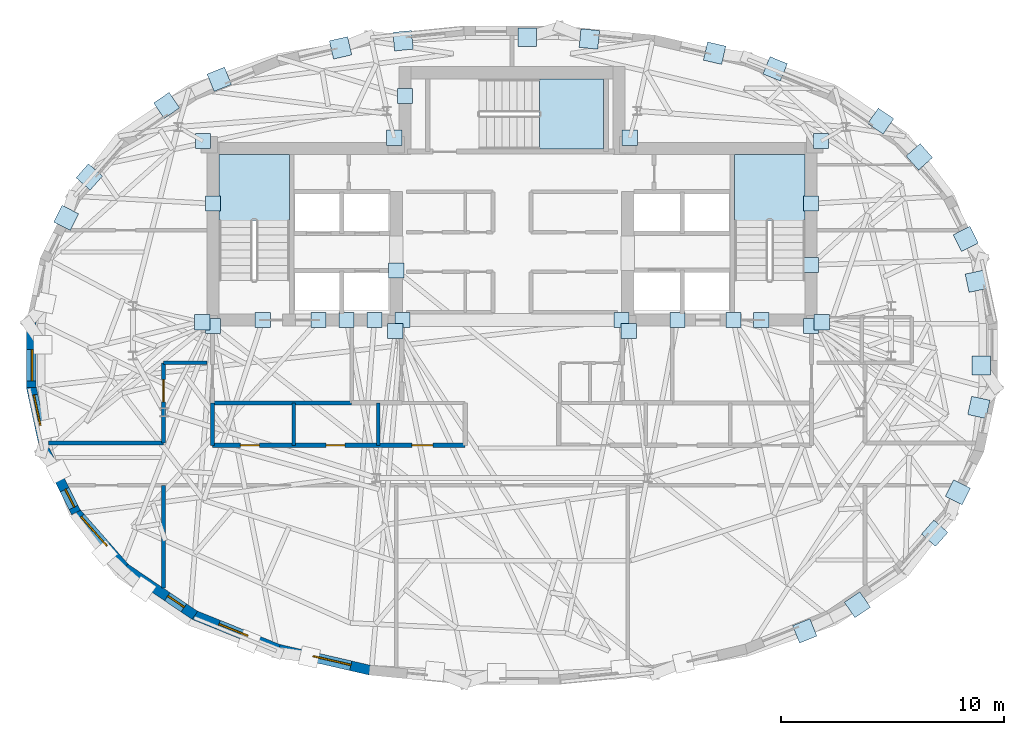
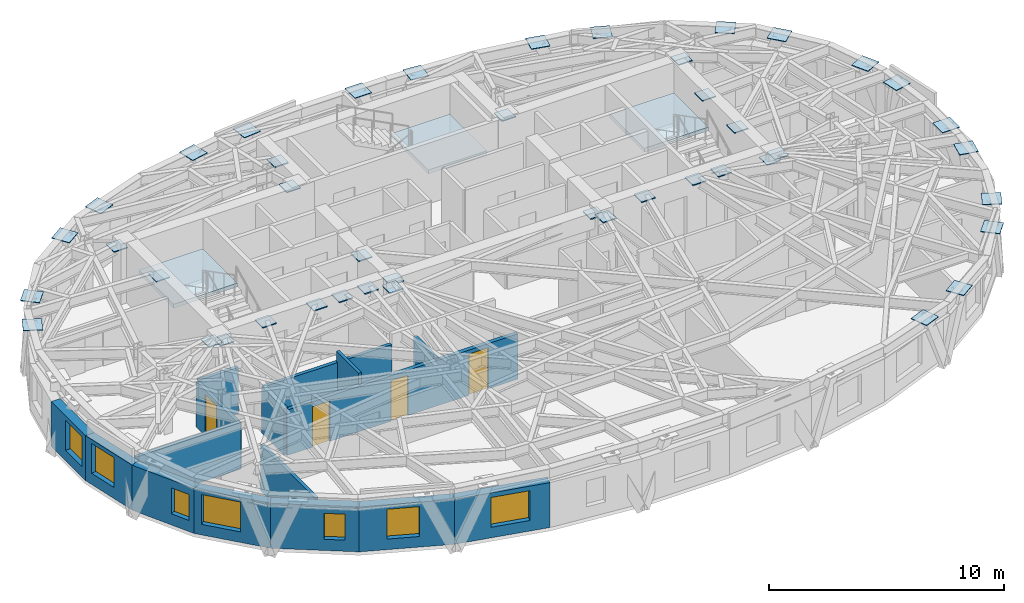
# One storey, part 5 of 13: 44 plates, 16 walls, 7 windows, 4 doors, 3 slabs, 11 openings, 3 elements without a shape of their own.
"""IFC4 building model written with IfcOpenShell, lengths in metres."""

from ifc_helpers import new_model, si_unit, direction, frame, frame_2d, origin, origin_2d, place, context, subcontext, project, spatial, polyline, rectangle, outline, extrude, material, layer, layer_set, type_object, element, fill, aggregate, save


model = new_model("IFC4")

# Units and contexts
model_context = context("Model", 3, precision=1e-05, world=origin(), true_north=direction((0.0, 1.0)))
body_context = subcontext(model_context, "Body", "Model", "MODEL_VIEW")
ifc_project = project(units=[si_unit("LENGTHUNIT", "METRE"), si_unit("AREAUNIT", "SQUARE_METRE"), si_unit("VOLUMEUNIT", "CUBIC_METRE"), si_unit("PLANEANGLEUNIT", "RADIAN"), si_unit("MASSUNIT", "GRAM", prefix="KILO")], contexts=[model_context])

# Site, building, storey
site_placement = place(None, origin())
site = spatial("IfcSite", under=ifc_project, at=site_placement, CompositionType="ELEMENT")
building_placement = place(site_placement, origin())
building = spatial("IfcBuilding", under=site, at=building_placement, Name="Keldmark Tower", CompositionType="ELEMENT")
storey_placement = place(building_placement, frame((0.0, 0.0, 244.64990234375)))
storey = spatial("IfcBuildingStorey", under=building, at=storey_placement, Name="L69", CompositionType="ELEMENT", Elevation=244.64990234375)

# Plates
ifc_material_1 = material(Name="Steel ASTM A572 Grade 50", Category="steel")
ifc_layer_1 = layer(ifc_material_1, 0.06005859375)
ifc_layer_set_1 = layer_set([ifc_layer_1], Name="Steel ASTM A572 Grade 50")
plate_type_1 = type_object("IfcPlateType", Name="Belt Truss Kink Node Assembly KN01 60 mm", PredefinedType="USERDEFINED", material=ifc_layer_set_1)
for number, where, z_axis, x_axis, name in (
    (1, (13.91162109375, 1.473388671875, 2.67822265625), (0.0, 0.0, 1.0), (1.0, 0.0, 0.0), "L69 Core Wall Cast-In Embed Plate 2008"),
    (2, (13.878173828125, 9.608154296875, 2.67822265625), (0.0, 0.0, 1.0), (1.0, 0.0, 0.0), "L69 Core Wall Cast-In Embed Plate 2009"),
    (3, (5.28515625, 9.758544921875, 2.67822265625), (0.0, 0.0, 1.0), (1.0, 0.0, 0.0), "L69 Core Wall Cast-In Embed Plate 2010"),
    (4, (-5.28515625, 9.758544921875, 2.67822265625), (0.0, 0.0, 1.0), (1.0, 0.0, 0.0), "L69 Core Wall Cast-In Embed Plate 2011"),
    (5, (-13.878173828125, 9.608154296875, 2.67822265625), (0.0, 0.0, 1.0), (1.0, 0.0, 0.0), "L69 Core Wall Cast-In Embed Plate 2012"),
    (6, (-13.91162109375, 1.473388671875, 2.67822265625), (0.0, 0.0, 1.0), (1.0, 0.0, 0.0), "L69 Core Wall Cast-In Embed Plate 2013"),
    (7, (-5.24072265625, 1.08251953125, 2.67822265625), (0.0, 0.0, 1.0), (1.0, 0.0, 0.0), "L69 Core Wall Cast-In Embed Plate 2014"),
    (8, (5.24072265625, 1.08251953125, 2.67822265625), (0.0, 0.0, 1.0), (1.0, 0.0, 0.0), "L69 Core Wall Cast-In Embed Plate 2015"),
    (9, (-11.19287109375, 1.574951171875, 2.67431640625), (0.0, 0.0, 1.0), (1.0, 0.0, 0.0), "L69 Core Wall Cast-In Embed Plate 2016"),
    (10, (-7.43212890625, 1.574951171875, 2.67431640625), (0.0, 0.0, 1.0), (1.0, 0.0, 0.0), "L69 Core Wall Cast-In Embed Plate 2017"),
    (11, (7.43212890625, 1.574951171875, 2.67431640625), (0.0, 0.0, 1.0), (1.0, 0.0, 0.0), "L69 Core Wall Cast-In Embed Plate 2018"),
    (12, (11.19287109375, 1.574951171875, 2.67431640625), (0.0, 0.0, 1.0), (1.0, 0.0, 0.0), "L69 Core Wall Cast-In Embed Plate 2019"),
    (13, (13.425048828125, 4.050048828125, 2.67431640625), (0.0, 0.0, 1.0), (1.0, 0.0, 0.0), "L69 Core Wall Cast-In Embed Plate 2020"),
    (14, (-8.685791015625, 1.574951171875, 2.67431640625), (0.0, 0.0, 1.0), (1.0, 0.0, 0.0), "L69 Core Wall Cast-In Embed Plate 2021"),
    (15, (-6.1787109375, 1.574951171875, 2.67431640625), (0.0, 0.0, 1.0), (1.0, 0.0, 0.0), "L69 Core Wall Cast-In Embed Plate 2022"),
    (16, (9.939208984375, 1.574951171875, 2.67431640625), (0.0, 0.0, 1.0), (1.0, 0.0, 0.0), "L69 Core Wall Cast-In Embed Plate 2023"),
    (17, (13.425048828125, 6.800048828125, 2.67431640625), (0.0, 0.0, 1.0), (1.0, 0.0, 0.0), "L69 Core Wall Cast-In Embed Plate 2024"),
    (18, (4.925048828125, 1.574951171875, 2.67431640625), (0.0, 0.0, 1.0), (1.0, 0.0, 0.0), "L69 Core Wall Cast-In Embed Plate 2025"),
    (19, (-13.425048828125, 1.300048828125, 2.67431640625), (0.0, 0.0, 1.0), (1.0, 0.0, 0.0), "L69 Core Wall Cast-In Embed Plate 2026"),
    (20, (-4.925048828125, 1.574951171875, 2.67431640625), (0.0, 0.0, 1.0), (1.0, 0.0, 0.0), "L69 Core Wall Cast-In Embed Plate 2027"),
    (21, (-5.199951171875, 3.800048828125, 2.67431640625), (0.0, 0.0, 1.0), (1.0, 0.0, 0.0), "L69 Core Wall Cast-In Embed Plate 2028"),
    (22, (13.425048828125, 1.300048828125, 2.67431640625), (0.0, 0.0, 1.0), (1.0, 0.0, 0.0), "L69 Core Wall Cast-In Embed Plate 2029"),
    (23, (-4.800048828125, 11.63330078125, 2.67431640625), (0.0, 0.0, 1.0), (1.0, 0.0, 0.0), "L69 Core Wall Cast-In Embed Plate 2030"),
    (24, (-13.425048828125, 6.800048828125, 2.67431640625), (0.0, 0.0, 1.0), (1.0, 0.0, 0.0), "L69 Core Wall Cast-In Embed Plate 2031"),
):
    element("IfcPlate", number, at=place(storey_placement, frame(where, z_axis=z_axis, x_axis=x_axis)), inside=storey, type_object=plate_type_1, Name=name, ObjectType="CAP PLATE", PredefinedType="USERDEFINED", context=body_context, shape_type="SweptSolid", body=[
        extrude(rectangle(XDim=0.679931640625, YDim=0.679931640625, at=origin_2d()), origin(), (0.0, 0.0, 1.0), 0.054931640625),
    ])
ifc_material_2 = material(Name="Steel ASTM A572 Grade 50", Category="steel")
ifc_layer_2 = layer(ifc_material_2, 0.034912109375)
ifc_layer_set_2 = layer_set([ifc_layer_2], Name="Steel ASTM A572 Grade 50")
plate_type_2 = type_object("IfcPlateType", Name="Diagrid Node Assembly DN06 35 mm", PredefinedType="USERDEFINED", material=ifc_layer_set_2)
for number, where, z_axis, x_axis, name in (
    (25, (20.84619140625, 3.3154296875, 2.83251953125), (0.0, 0.0, 1.0), (-0.210471759821, 0.977599937765, 0.0), "L69 Diagrid Node Assembly 01"),
    (26, (20.374755859375, 5.215087890625, 2.83251953125), (0.0, 0.0, 1.0), (-0.448539214018, 0.893763152903, 0.0), "L69 Diagrid Node Assembly 02"),
    (27, (18.290283203125, 8.90380859375, 2.83251953125), (0.0, 0.0, 1.0), (-0.661311865324, 0.75011106963, 0.0), "L69 Diagrid Node Assembly 03"),
    (28, (16.55615234375, 10.50341796875, 2.83251953125), (0.0, 0.0, 1.0), (-0.827668733006, 0.561216953062, 0.0), "L69 Diagrid Node Assembly 04"),
    (29, (11.817138671875, 12.855712890625, 2.83251953125), (0.0, 0.0, 1.0), (-0.92672549442, 0.375739082333, 0.0), "L69 Diagrid Node Assembly 05"),
    (30, (9.098876953125, 13.557373046875, 2.83251953125), (0.0, 0.0, 1.0), (-0.97440931131, 0.224780991261, 0.0), "L69 Diagrid Node Assembly 06"),
    (31, (3.47265625, 14.195068359375, 2.83251953125), (0.0, 0.0, 1.0), (-0.995124665732, 0.098625045759, 0.0), "L69 Diagrid Node Assembly 07"),
    (32, (0.68798828125, 14.270263671875, 2.83251953125), (0.0, 0.0, 1.0), (-1.0, 0.0, 0.0), "L69 Diagrid Node Assembly 08"),
    (33, (-4.892578125, 14.115234375, 2.83251953125), (0.0, 0.0, 1.0), (-0.995124665732, -0.098625045759, 0.0), "L69 Diagrid Node Assembly 09"),
    (34, (-7.69970703125, 13.79638671875, 2.83251953125), (0.0, 0.0, 1.0), (-0.97440931131, -0.224780991261, 0.0), "L69 Diagrid Node Assembly 10"),
    (35, (-13.14501953125, 12.384521484375, 2.83251953125), (0.0, 0.0, 1.0), (-0.92672549442, -0.375739082333, 0.0), "L69 Diagrid Node Assembly 11"),
    (36, (-15.509033203125, 11.210693359375, 2.83251953125), (0.0, 0.0, 1.0), (-0.827668733006, -0.561216953062, 0.0), "L69 Diagrid Node Assembly 12"),
    (37, (-18.98193359375, 8.000244140625, 2.83251953125), (0.0, 0.0, 1.0), (-0.661311865324, -0.75011106963, 0.0), "L69 Diagrid Node Assembly 13"),
    (38, (-20.02001953125, 6.16015625, 2.83251953125), (0.0, 0.0, 1.0), (-0.448539214018, -0.893763152903, 0.0), "L69 Diagrid Node Assembly 14"),
    (39, (13.14501953125, -12.384521484375, 2.83251953125), (0.0, 0.0, 1.0), (0.92672549442, 0.375739082333, 0.0), "L69 Diagrid Node Assembly 27"),
    (40, (15.509033203125, -11.210693359375, 2.83251953125), (0.0, 0.0, 1.0), (0.827668733006, 0.561216953062, 0.0), "L69 Diagrid Node Assembly 28"),
    (41, (18.98193359375, -8.000244140625, 2.83251953125), (0.0, 0.0, 1.0), (0.661311865324, 0.75011106963, 0.0), "L69 Diagrid Node Assembly 29"),
    (42, (20.02001953125, -6.16015625, 2.83251953125), (0.0, 0.0, 1.0), (0.448539214018, 0.893763152903, 0.0), "L69 Diagrid Node Assembly 30"),
    (43, (20.962646484375, -2.34912109375, 2.83251953125), (0.0, 0.0, 1.0), (0.210471759821, 0.977599937765, 0.0), "L69 Diagrid Node Assembly 31"),
    (44, (21.07470703125, -0.464599609375, 2.83251953125), (0.0, 0.0, 1.0), (0.0, 1.0, 0.0), "L69 Diagrid Node Assembly 32"),
):
    element("IfcPlate", number, at=place(storey_placement, frame(where, z_axis=z_axis, x_axis=x_axis)), inside=storey, type_object=plate_type_2, Name=name, ObjectType="GUSSET", PredefinedType="USERDEFINED", context=body_context, shape_type="SweptSolid", body=[
        extrude(rectangle(XDim=0.840087890625, YDim=0.840087890625, at=origin_2d()), origin(), (0.0, 0.0, 1.0), 0.034912109375),
    ])

# Stair, slab
ifc_material_3 = material(Name="Concrete C40/50", Category="concrete")
stair_type = type_object("IfcStairType", Name="Precast Concrete Core Exit Stair", PredefinedType="HALF_TURN_STAIR", material=ifc_material_3)
stair_1_placement = place(storey_placement, origin())
stair_1 = element("IfcStair", 45, at=stair_1_placement, inside=storey, type_object=stair_type, Name="L69 Exit Stair ST1", PredefinedType="HALF_TURN_STAIR")
ifc_material_4 = material(Name="Concrete C40/50", Category="concrete")
ifc_layer_3 = layer(ifc_material_4, 0.199951171875)
ifc_layer_set_3 = layer_set([ifc_layer_3], Name="Concrete C40/50")
slab_type = type_object("IfcSlabType", Name="Reinforced Concrete Stair Landing 200 mm", PredefinedType="LANDING", material=ifc_layer_set_3)
slab_1_placement = place(storey_placement, frame((0.0, 0.0, 1.375)))
slab_1 = element("IfcSlab", 46, at=slab_1_placement, type_object=slab_type, Name="ST1 landing 1", PredefinedType="LANDING", context=body_context, shape_type="SweptSolid", body=[
    extrude(outline(polyline([(-10.0, 6.050048828125), (-10.0, 9.0), (-13.14990234375, 9.0), (-13.14990234375, 6.050048828125), (-10.0, 6.050048828125)])), origin(), (0.0, 0.0, 1.0), 0.2001953125),
])
aggregate(stair_1, [slab_1])

stair_2_placement = place(storey_placement, origin())
stair_2 = element("IfcStair", 47, at=stair_2_placement, inside=storey, type_object=stair_type, Name="L69 Exit Stair ST2", PredefinedType="HALF_TURN_STAIR")
slab_2_placement = place(storey_placement, frame((0.0, 0.0, 1.375)))
slab_2 = element("IfcSlab", 48, at=slab_2_placement, type_object=slab_type, Name="ST2 landing 1", PredefinedType="LANDING", context=body_context, shape_type="SweptSolid", body=[
    extrude(outline(polyline([(13.14990234375, 6.050048828125), (13.14990234375, 9.0), (10.0, 9.0), (10.0, 6.050048828125), (13.14990234375, 6.050048828125)])), origin(), (0.0, 0.0, 1.0), 0.2001953125),
])
aggregate(stair_2, [slab_2])

stair_3_placement = place(storey_placement, origin())
stair_3 = element("IfcStair", 49, at=stair_3_placement, inside=storey, type_object=stair_type, Name="L69 Exit Stair ST3", PredefinedType="HALF_TURN_STAIR")
slab_3_placement = place(storey_placement, frame((0.0, 0.0, 1.375)))
slab_3 = element("IfcSlab", 50, at=slab_3_placement, type_object=slab_type, Name="ST3 landing 1", PredefinedType="LANDING", context=body_context, shape_type="SweptSolid", body=[
    extrude(outline(polyline([(1.22509765625, 9.25), (4.10498046875, 9.25), (4.10498046875, 12.39990234375), (1.22509765625, 12.39990234375), (1.22509765625, 9.25)])), origin(), (0.0, 0.0, 1.0), 0.2001953125),
])
aggregate(stair_3, [slab_3])

# Wall, openings, doors
ifc_material_5 = material(Name="Heavy Acoustic Plumbing Chase Gypsum Assembly", Category="gypsum")
ifc_layer_4 = layer(ifc_material_5, 0.18994140625)
ifc_layer_set_4 = layer_set([ifc_layer_4], Name="Heavy Acoustic Plumbing Chase Gypsum Assembly")
wall_type_1 = type_object("IfcWallType", Name="Heavy Wet Wall 190 mm", PredefinedType="PLUMBINGWALL", material=ifc_layer_set_4)
wall_1_placement = place(storey_placement, frame((-13.449951171875, -4.050048828125, 0.0), z_axis=(0.0, 0.0, 1.0), x_axis=(1.0, 0.0, 0.0)))
wall_1 = element("IfcWall", 51, at=wall_1_placement, inside=storey, type_object=wall_type_1, Name="L69 Heavy Wet Wall 190 mm SPK-W-S", PredefinedType="PLUMBINGWALL", context=body_context, shape_type="SweptSolid", body=[
    extrude(rectangle(XDim=11.349853515625, YDim=0.18994140625, at=frame_2d((5.6748046875, 0.0))), origin(), (0.0, 0.0, 1.0), 2.357177734375),
])
opening_1_placement = place(wall_1_placement, frame((1.25, 0.0, 0.0)))
opening_1 = element("IfcOpeningElement", 52, at=opening_1_placement, cuts=wall_1, Name="Opening D-WC085", PredefinedType="OPENING", context=body_context, shape_type="SweptSolid", body=[
    extrude(rectangle(XDim=0.85009765625, YDim=2.10009765625, at=frame_2d((0.425048828125, 1.050048828125))), frame((0.0, 0.10498046875, 0.0), z_axis=(0.0, -1.0, 0.0), x_axis=(1.0, 0.0, 0.0)), (0.0, 0.0, 1.0), 0.2099609375),
])
opening_2_placement = place(wall_1_placement, frame((5.10009765625, 0.0, 0.0)))
opening_2 = element("IfcOpeningElement", 53, at=opening_2_placement, cuts=wall_1, Name="Opening D-WC085", PredefinedType="OPENING", context=body_context, shape_type="SweptSolid", body=[
    extrude(rectangle(XDim=0.85009765625, YDim=2.10009765625, at=frame_2d((0.425048828125, 1.050048828125))), frame((0.0, 0.10498046875, 0.0), z_axis=(0.0, -1.0, 0.0), x_axis=(1.0, 0.0, 0.0)), (0.0, 0.0, 1.0), 0.2099609375),
])
opening_3_placement = place(wall_1_placement, frame((8.949951171875, 0.0, 0.0)))
opening_3 = element("IfcOpeningElement", 54, at=opening_3_placement, cuts=wall_1, Name="Opening D-AWC95", PredefinedType="OPENING", context=body_context, shape_type="SweptSolid", body=[
    extrude(rectangle(XDim=0.949951171875, YDim=2.14990234375, at=frame_2d((0.47509765625, 1.074951171875))), frame((0.0, 0.10498046875, 0.0), z_axis=(0.0, -1.0, 0.0), x_axis=(1.0, 0.0, 0.0)), (0.0, 0.0, 1.0), 0.2099609375),
])
ifc_material_6 = material(Name="Painted Solid-Core Architectural Wood", Category="wood")
door_type_1 = type_object("IfcDoorType", Name="Accessible WC Door 950x2150", OperationType="NOTDEFINED", PredefinedType="DOOR", material=ifc_material_6)
door_1_placement = place(opening_3_placement, origin())
door_1 = element("IfcDoor", 55, at=door_1_placement, inside=storey, type_object=door_type_1, Name="L69 Accessible WC Door 950x2150 D-SPKW3-L69", OperationType="SINGLE_SWING_LEFT", OverallHeight=2.14990234375, OverallWidth=0.949951171875, PredefinedType="DOOR", context=body_context, shape_type="SweptSolid", body=[
    extrude(rectangle(XDim=0.949951171875, YDim=2.14990234375, at=frame_2d((0.47509765625, 1.074951171875))), frame((0.0, 0.02490234375, 0.0), z_axis=(0.0, -1.0, 0.0), x_axis=(1.0, 0.0, 0.0)), (0.0, 0.0, 1.0), 0.050048828125),
])
fill(opening_3, door_1)
ifc_material_7 = material(Name="Moisture-Sealed Painted Wood", Category="wood")
door_type_2 = type_object("IfcDoorType", Name="WC Door 850x2100", OperationType="NOTDEFINED", PredefinedType="DOOR", material=ifc_material_7)
door_2_placement = place(opening_1_placement, origin())
door_2 = element("IfcDoor", 56, at=door_2_placement, inside=storey, type_object=door_type_2, Name="L69 WC Door 850x2100 D-SPKW1-L69", OperationType="SINGLE_SWING_LEFT", OverallHeight=2.10009765625, OverallWidth=0.85009765625, PredefinedType="DOOR", context=body_context, shape_type="SweptSolid", body=[
    extrude(rectangle(XDim=0.85009765625, YDim=2.10009765625, at=frame_2d((0.425048828125, 1.050048828125))), frame((0.0, 0.02490234375, 0.0), z_axis=(0.0, -1.0, 0.0), x_axis=(1.0, 0.0, 0.0)), (0.0, 0.0, 1.0), 0.050048828125),
])
fill(opening_1, door_2)
door_3_placement = place(opening_2_placement, origin())
door_3 = element("IfcDoor", 57, at=door_3_placement, inside=storey, type_object=door_type_2, Name="L69 WC Door 850x2100 D-SPKW2-L69", OperationType="SINGLE_SWING_RIGHT", OverallHeight=2.10009765625, OverallWidth=0.85009765625, PredefinedType="DOOR", context=body_context, shape_type="SweptSolid", body=[
    extrude(rectangle(XDim=0.85009765625, YDim=2.10009765625, at=frame_2d((0.425048828125, 1.050048828125))), frame((0.0, 0.02490234375, 0.0), z_axis=(0.0, -1.0, 0.0), x_axis=(1.0, 0.0, 0.0)), (0.0, 0.0, 1.0), 0.050048828125),
])
fill(opening_2, door_3)

# Walls
wall_2_placement = place(storey_placement, frame((-13.449951171875, -4.050048828125, 0.0), z_axis=(0.0, 0.0, 1.0), x_axis=(0.0, 1.0, 0.0)))
element("IfcWall", 58, at=wall_2_placement, inside=storey, type_object=wall_type_1, Name="L69 Heavy Wet Wall 190 mm SPK-W-W", PredefinedType="PLUMBINGWALL", context=body_context, shape_type="SweptSolid", body=[
    extrude(rectangle(XDim=1.900146484375, YDim=0.18994140625, at=frame_2d((0.9501953125, 0.0))), origin(), (0.0, 0.0, 1.0), 2.423095703125),
])
ifc_material_8 = material(Name="Type X Fire-Rated Gypsum Partition Assembly", Category="gypsum")
ifc_layer_5 = layer(ifc_material_8, 0.1650390625)
ifc_layer_set_5 = layer_set([ifc_layer_5], Name="Type X Fire-Rated Gypsum Partition Assembly")
wall_type_2 = type_object("IfcWallType", Name="Rated Partition 165 mm", PredefinedType="PARTITIONING", material=ifc_layer_set_5)
wall_3_placement = place(storey_placement, frame((-13.449951171875, -2.14990234375, 0.0), z_axis=(0.0, 0.0, 1.0), x_axis=(1.0, 0.0, 0.0)))
element("IfcWall", 59, at=wall_3_placement, inside=storey, type_object=wall_type_2, Name="L69 Rated Partition 165 mm FSAE-W-S", PredefinedType="PARTITIONING", context=body_context, shape_type="SweptSolid", body=[
    extrude(rectangle(XDim=6.25, YDim=0.1650390625, at=frame_2d((3.125, 0.0))), origin(), (0.0, 0.0, 1.0), 2.423095703125),
])
wall_4_placement = place(storey_placement, frame((-20.81396484375, -3.949951171875, 0.0), z_axis=(0.0, 0.0, 1.0), x_axis=(1.0, 0.0, 0.0)))
element("IfcWall", 60, at=wall_4_placement, inside=storey, type_object=wall_type_2, Name="L69 Rated Partition 165 mm RCOR-WN-OUT", PredefinedType="PARTITIONING", context=body_context, shape_type="SweptSolid", body=[
    extrude(rectangle(XDim=5.1640625, YDim=0.1650390625, at=frame_2d((2.58203125, 0.0))), origin(), (0.0, 0.0, 1.0), 2.423095703125),
])

# Wall, opening, door
wall_5_placement = place(storey_placement, frame((-15.64990234375, -3.949951171875, 0.0), z_axis=(0.0, 0.0, 1.0), x_axis=(0.0, 1.0, 0.0)))
wall_5 = element("IfcWall", 61, at=wall_5_placement, inside=storey, type_object=wall_type_2, Name="L69 Rated Partition 165 mm RCOR-VW", PredefinedType="PARTITIONING", context=body_context, shape_type="SweptSolid", body=[
    extrude(rectangle(XDim=3.599853515625, YDim=0.1650390625, at=frame_2d((1.7998046875, 0.0))), origin(), (0.0, 0.0, 1.0), 2.357177734375),
])
opening_4_placement = place(wall_5_placement, frame((1.85009765625, 0.0, 0.0)))
opening_4 = element("IfcOpeningElement", 62, at=opening_4_placement, cuts=wall_5, Name="Opening D-FD100", PredefinedType="OPENING", context=body_context, shape_type="SweptSolid", body=[
    extrude(rectangle(XDim=1.0, YDim=2.14990234375, at=frame_2d((0.5, 1.074951171875))), frame((0.0, 0.092529296875, 0.0), z_axis=(0.0, -1.0, 0.0), x_axis=(1.0, 0.0, 0.0)), (0.0, 0.0, 1.0), 0.18505859375),
])
ifc_material_9 = material(Name="Hollow Metal Fire-Rated Corridor Door", Category="metal")
door_type_3 = type_object("IfcDoorType", Name="Fire Door 1000x2150", OperationType="NOTDEFINED", PredefinedType="DOOR", material=ifc_material_9)
door_4_placement = place(opening_4_placement, origin())
door_4 = element("IfcDoor", 63, at=door_4_placement, inside=storey, type_object=door_type_3, Name="L69 Fire Door 1000x2150 D-RWM1-L69", OperationType="SINGLE_SWING_RIGHT", OverallHeight=2.14990234375, OverallWidth=1.0, PredefinedType="DOOR", context=body_context, shape_type="SweptSolid", body=[
    extrude(rectangle(XDim=1.0, YDim=2.14990234375, at=frame_2d((0.5, 1.074951171875))), frame((0.0, 0.02490234375, 0.0), z_axis=(0.0, -1.0, 0.0), x_axis=(1.0, 0.0, 0.0)), (0.0, 0.0, 1.0), 0.050048828125),
])
fill(opening_4, door_4)

# Walls
wall_6_placement = place(storey_placement, frame((-15.64990234375, -0.35009765625, 0.0), z_axis=(0.0, 0.0, 1.0), x_axis=(1.0, 0.0, 0.0)))
element("IfcWall", 64, at=wall_6_placement, inside=storey, type_object=wall_type_2, Name="L69 Rated Partition 165 mm RCOR-VWN", PredefinedType="PARTITIONING", context=body_context, shape_type="SweptSolid", body=[
    extrude(rectangle(XDim=1.949951171875, YDim=0.1650390625, at=frame_2d((0.97509765625, 0.0))), origin(), (0.0, 0.0, 1.0), 2.423095703125),
])
wall_7_placement = place(storey_placement, frame((-15.64990234375, -10.4580078125, 0.0), z_axis=(0.0, 0.0, 1.0), x_axis=(0.0, 1.0, 0.0)))
element("IfcWall", 65, at=wall_7_placement, inside=storey, type_object=wall_type_2, Name="L69 Rated Partition 165 mm RS-WCAP", PredefinedType="PARTITIONING", context=body_context, shape_type="SweptSolid", body=[
    extrude(rectangle(XDim=4.60791015625, YDim=0.1650390625, at=frame_2d((2.303955078125, 0.0))), origin(), (0.0, 0.0, 1.0), 2.423095703125),
])

# Wall, opening, window
ifc_material_10 = material(Name="Ironspot Manganese Brick and Kasota Buff Limestone Spandrel Assembly", Category="masonry")
ifc_layer_6 = layer(ifc_material_10, 0.43994140625)
ifc_layer_set_6 = layer_set([ifc_layer_6], Name="Ironspot Manganese Brick and Kasota Buff Limestone Spandrel Assembly")
wall_type_3 = type_object("IfcWallType", Name="Tower Brick Pier and Spandrel Wall 440 mm", PredefinedType="STANDARD", material=ifc_layer_set_6)
wall_8_placement = place(storey_placement, frame((-21.58935546875, -1.45654296875, 0.0), z_axis=(0.0, 0.0, 1.0), x_axis=(0.0, 1.0, 0.0)))
wall_8 = element("IfcWall", 66, at=wall_8_placement, inside=storey, type_object=wall_type_3, Name="L69 Exterior Brick and Spandrel Wall 16", PredefinedType="STANDARD", context=body_context, shape_type="SweptSolid", body=[
    extrude(rectangle(XDim=2.9130859375, YDim=0.43994140625, at=frame_2d((1.45654296875, 0.0))), origin(), (0.0, 0.0, 1.0), 2.340087890625),
])
opening_5_placement = place(wall_8_placement, frame((0.296875, 0.0, 0.550048828125)))
opening_5 = element("IfcOpeningElement", 67, at=opening_5_placement, cuts=wall_8, Name="Opening W-08", PredefinedType="OPENING", context=body_context, shape_type="SweptSolid", body=[
    extrude(rectangle(XDim=1.39990234375, YDim=1.550048828125, at=frame_2d((0.699951171875, 0.77490234375))), frame((0.0, 0.22998046875, 0.0), z_axis=(0.0, -1.0, 0.0), x_axis=(1.0, 0.0, 0.0)), (0.0, 0.0, 1.0), 0.4599609375),
])
ifc_material_11 = material(Name="Thermally Broken Anodized Aluminum and Triple Low-E Argon Glazing", Category="aluminium")
window_type_1 = type_object("IfcWindowType", Name="Residential Corner Punched Window 1400x1550", PartitioningType="SINGLE_PANEL", PredefinedType="WINDOW", material=ifc_material_11)
window_1_placement = place(opening_5_placement, origin())
window_1 = element("IfcWindow", 68, at=window_1_placement, inside=storey, type_object=window_type_1, Name="L69 Deep-Set Window 16", OverallHeight=1.550048828125, OverallWidth=1.39990234375, PartitioningType="SINGLE_PANEL", PredefinedType="WINDOW", context=body_context, shape_type="SweptSolid", body=[
    extrude(rectangle(XDim=1.39990234375, YDim=1.550048828125, at=frame_2d((0.699951171875, 0.77490234375))), frame((0.0, -0.010009765625, 0.0), z_axis=(0.0, -1.0, 0.0), x_axis=(1.0, 0.0, 0.0)), (0.0, 0.0, 1.0), 0.06005859375),
])
fill(opening_5, window_1)

wall_9_placement = place(storey_placement, frame((-20.969482421875, -4.311279296875, 0.0), z_axis=(0.0, 0.0, 1.0), x_axis=(-0.210540350534, 0.977585168053, 0.0)))
wall_9 = element("IfcWall", 69, at=wall_9_placement, inside=storey, type_object=wall_type_3, Name="L69 Exterior Brick and Spandrel Wall 17", PredefinedType="STANDARD", context=body_context, shape_type="SweptSolid", body=[
    extrude(rectangle(XDim=2.96728515625, YDim=0.43994140625, at=frame_2d((1.483642578125, 0.0))), origin(), (0.0, 0.0, 1.0), 2.336181640625),
])
opening_6_placement = place(wall_9_placement, frame((1.1728515625, 0.0, 0.580078125)))
opening_6 = element("IfcOpeningElement", 70, at=opening_6_placement, cuts=wall_9, Name="Opening W-08", PredefinedType="OPENING", context=body_context, shape_type="SweptSolid", body=[
    extrude(rectangle(XDim=1.39990234375, YDim=1.550048828125, at=frame_2d((0.699951171875, 0.77490234375))), frame((0.0, 0.22998046875, 0.0), z_axis=(0.0, -1.0, 0.0), x_axis=(1.0, 0.0, 0.0)), (0.0, 0.0, 1.0), 0.4599609375),
])
window_2_placement = place(opening_6_placement, origin())
window_2 = element("IfcWindow", 71, at=window_2_placement, inside=storey, type_object=window_type_1, Name="L69 Deep-Set Window 17", OverallHeight=1.550048828125, OverallWidth=1.39990234375, PartitioningType="SINGLE_PANEL", PredefinedType="WINDOW", context=body_context, shape_type="SweptSolid", body=[
    extrude(rectangle(XDim=1.39990234375, YDim=1.550048828125, at=frame_2d((0.699951171875, 0.77490234375))), frame((0.0, -0.010009765625, 0.0), z_axis=(0.0, -1.0, 0.0), x_axis=(1.0, 0.0, 0.0)), (0.0, 0.0, 1.0), 0.06005859375),
])
fill(opening_6, window_2)

wall_10_placement = place(storey_placement, frame((-19.578125, -7.068603515625, 0.0), z_axis=(0.0, 0.0, 1.0), x_axis=(-0.448424724145, 0.893820601002, 0.0)))
wall_10 = element("IfcWall", 72, at=wall_10_placement, inside=storey, type_object=wall_type_3, Name="L69 Exterior Brick and Spandrel Wall 18", PredefinedType="STANDARD", context=body_context, shape_type="SweptSolid", body=[
    extrude(rectangle(XDim=3.1435546875, YDim=0.43994140625, at=frame_2d((1.57177734375, 0.0))), origin(), (0.0, 0.0, 1.0), 2.336181640625),
])
opening_7_placement = place(wall_10_placement, frame((0.249755859375, 0.0, 0.580078125)))
opening_7 = element("IfcOpeningElement", 73, at=opening_7_placement, cuts=wall_10, Name="Opening W-09", PredefinedType="OPENING", context=body_context, shape_type="SweptSolid", body=[
    extrude(rectangle(XDim=0.89990234375, YDim=1.35009765625, at=frame_2d((0.449951171875, 0.675048828125))), frame((0.0, 0.22998046875, 0.0), z_axis=(0.0, -1.0, 0.0), x_axis=(1.0, 0.0, 0.0)), (0.0, 0.0, 1.0), 0.4599609375),
])
ifc_material_12 = material(Name="Thermally Broken Anodized Aluminum and Triple Low-E Argon Glazing", Category="aluminium")
window_type_2 = type_object("IfcWindowType", Name="Corner Pier Deep-Set Window 900x1350", PartitioningType="SINGLE_PANEL", PredefinedType="WINDOW", material=ifc_material_12)
window_3_placement = place(opening_7_placement, origin())
window_3 = element("IfcWindow", 74, at=window_3_placement, inside=storey, type_object=window_type_2, Name="L69 Deep-Set Window 18", OverallHeight=1.35009765625, OverallWidth=0.89990234375, PartitioningType="SINGLE_PANEL", PredefinedType="WINDOW", context=body_context, shape_type="SweptSolid", body=[
    extrude(rectangle(XDim=0.89990234375, YDim=1.35009765625, at=frame_2d((0.449951171875, 0.675048828125))), frame((0.0, -0.010009765625, 0.0), z_axis=(0.0, -1.0, 0.0), x_axis=(1.0, 0.0, 0.0)), (0.0, 0.0, 1.0), 0.06005859375),
])
fill(opening_7, window_3)

wall_11_placement = place(storey_placement, frame((-17.33984375, -9.595947265625, 0.0), z_axis=(0.0, 0.0, 1.0), x_axis=(-0.66136043846, 0.750068243855, 0.0)))
wall_11 = element("IfcWall", 75, at=wall_11_placement, inside=storey, type_object=wall_type_3, Name="L69 Exterior Brick and Spandrel Wall 19", PredefinedType="STANDARD", context=body_context, shape_type="SweptSolid", body=[
    extrude(rectangle(XDim=3.431884765625, YDim=0.43994140625, at=frame_2d((1.7158203125, 0.0))), origin(), (0.0, 0.0, 1.0), 2.336181640625),
])
opening_8_placement = place(wall_11_placement, frame((1.333984375, 0.0, 0.550048828125)))
opening_8 = element("IfcOpeningElement", 76, at=opening_8_placement, cuts=wall_11, Name="Opening W-05", PredefinedType="OPENING", context=body_context, shape_type="SweptSolid", body=[
    extrude(rectangle(XDim=1.75, YDim=1.550048828125, at=frame_2d((0.875, 0.77490234375))), frame((0.0, 0.22998046875, 0.0), z_axis=(0.0, -1.0, 0.0), x_axis=(1.0, 0.0, 0.0)), (0.0, 0.0, 1.0), 0.4599609375),
])
ifc_material_13 = material(Name="Thermally Broken Anodized Aluminum and Triple Low-E Argon Glazing", Category="aluminium")
window_type_3 = type_object("IfcWindowType", Name="Residential Deep-Set Window 1750x1550", PartitioningType="DOUBLE_PANEL_VERTICAL", PredefinedType="WINDOW", material=ifc_material_13)
window_4_placement = place(opening_8_placement, origin())
window_4 = element("IfcWindow", 77, at=window_4_placement, inside=storey, type_object=window_type_3, Name="L69 Deep-Set Window 19", OverallHeight=1.550048828125, OverallWidth=1.75, PartitioningType="SINGLE_PANEL", PredefinedType="WINDOW", context=body_context, shape_type="SweptSolid", body=[
    extrude(rectangle(XDim=1.75, YDim=1.550048828125, at=frame_2d((0.875, 0.77490234375))), frame((0.0, -0.010009765625, 0.0), z_axis=(0.0, -1.0, 0.0), x_axis=(1.0, 0.0, 0.0)), (0.0, 0.0, 1.0), 0.06005859375),
])
fill(opening_8, window_4)

wall_12_placement = place(storey_placement, frame((-14.242431640625, -11.68798828125, 0.0), z_axis=(0.0, 0.0, 1.0), x_axis=(-0.827637036896, 0.561263694851, 0.0)))
wall_12 = element("IfcWall", 78, at=wall_12_placement, inside=storey, type_object=wall_type_3, Name="L69 Exterior Brick and Spandrel Wall 20", PredefinedType="STANDARD", context=body_context, shape_type="SweptSolid", body=[
    extrude(rectangle(XDim=3.792724609375, YDim=0.43994140625, at=frame_2d((1.896484375, 0.0))), origin(), (0.0, 0.0, 1.0), 2.336181640625),
])
opening_9_placement = place(wall_12_placement, frame((0.598876953125, 0.0, 0.580078125)))
opening_9 = element("IfcOpeningElement", 79, at=opening_9_placement, cuts=wall_12, Name="Opening W-09", PredefinedType="OPENING", context=body_context, shape_type="SweptSolid", body=[
    extrude(rectangle(XDim=0.89990234375, YDim=1.35009765625, at=frame_2d((0.449951171875, 0.675048828125))), frame((0.0, 0.22998046875, 0.0), z_axis=(0.0, -1.0, 0.0), x_axis=(1.0, 0.0, 0.0)), (0.0, 0.0, 1.0), 0.4599609375),
])
window_5_placement = place(opening_9_placement, origin())
window_5 = element("IfcWindow", 80, at=window_5_placement, inside=storey, type_object=window_type_2, Name="L69 Deep-Set Window 20", OverallHeight=1.35009765625, OverallWidth=0.89990234375, PartitioningType="SINGLE_PANEL", PredefinedType="WINDOW", context=body_context, shape_type="SweptSolid", body=[
    extrude(rectangle(XDim=0.89990234375, YDim=1.35009765625, at=frame_2d((0.449951171875, 0.675048828125))), frame((0.0, -0.010009765625, 0.0), z_axis=(0.0, -1.0, 0.0), x_axis=(1.0, 0.0, 0.0)), (0.0, 0.0, 1.0), 0.06005859375),
])
fill(opening_9, window_5)

wall_13_placement = place(storey_placement, frame((-10.487060546875, -13.205078125, 0.0), z_axis=(0.0, 0.0, 1.0), x_axis=(-0.926731976866, 0.375723093586, 0.0)))
wall_13 = element("IfcWall", 81, at=wall_13_placement, inside=storey, type_object=wall_type_3, Name="L69 Exterior Brick and Spandrel Wall 21", PredefinedType="STANDARD", context=body_context, shape_type="SweptSolid", body=[
    extrude(rectangle(XDim=4.09619140625, YDim=0.43994140625, at=frame_2d((2.048095703125, 0.0))), origin(), (0.0, 0.0, 1.0), 2.336181640625),
])
opening_10_placement = place(wall_13_placement, frame((1.497802734375, 0.0, 0.550048828125)))
opening_10 = element("IfcOpeningElement", 82, at=opening_10_placement, cuts=wall_13, Name="Opening W-08", PredefinedType="OPENING", context=body_context, shape_type="SweptSolid", body=[
    extrude(rectangle(XDim=1.39990234375, YDim=1.550048828125, at=frame_2d((0.699951171875, 0.77490234375))), frame((0.0, 0.22998046875, 0.0), z_axis=(0.0, -1.0, 0.0), x_axis=(1.0, 0.0, 0.0)), (0.0, 0.0, 1.0), 0.4599609375),
])
window_6_placement = place(opening_10_placement, origin())
window_6 = element("IfcWindow", 83, at=window_6_placement, inside=storey, type_object=window_type_1, Name="L69 Deep-Set Window 21", OverallHeight=1.550048828125, OverallWidth=1.39990234375, PartitioningType="SINGLE_PANEL", PredefinedType="WINDOW", context=body_context, shape_type="SweptSolid", body=[
    extrude(rectangle(XDim=1.39990234375, YDim=1.550048828125, at=frame_2d((0.699951171875, 0.77490234375))), frame((0.0, -0.010009765625, 0.0), z_axis=(0.0, -1.0, 0.0), x_axis=(1.0, 0.0, 0.0)), (0.0, 0.0, 1.0), 0.06005859375),
])
fill(opening_10, window_6)

wall_14_placement = place(storey_placement, frame((-6.376708984375, -14.150634765625, 0.0), z_axis=(0.0, 0.0, 1.0), x_axis=(-0.974398936081, 0.224825962391, 0.0)))
wall_14 = element("IfcWall", 84, at=wall_14_placement, inside=storey, type_object=wall_type_3, Name="L69 Exterior Brick and Spandrel Wall 22", PredefinedType="STANDARD", context=body_context, shape_type="SweptSolid", body=[
    extrude(rectangle(XDim=4.25244140625, YDim=0.43994140625, at=frame_2d((2.126220703125, 0.0))), origin(), (0.0, 0.0, 1.0), 2.336181640625),
])
opening_11_placement = place(wall_14_placement, frame((0.884521484375, 0.0, 0.550048828125)))
opening_11 = element("IfcOpeningElement", 85, at=opening_11_placement, cuts=wall_14, Name="Opening W-05", PredefinedType="OPENING", context=body_context, shape_type="SweptSolid", body=[
    extrude(rectangle(XDim=1.75, YDim=1.550048828125, at=frame_2d((0.875, 0.77490234375))), frame((0.0, 0.22998046875, 0.0), z_axis=(0.0, -1.0, 0.0), x_axis=(1.0, 0.0, 0.0)), (0.0, 0.0, 1.0), 0.4599609375),
])
window_7_placement = place(opening_11_placement, origin())
window_7 = element("IfcWindow", 86, at=window_7_placement, inside=storey, type_object=window_type_3, Name="L69 Deep-Set Window 22", OverallHeight=1.550048828125, OverallWidth=1.75, PartitioningType="SINGLE_PANEL", PredefinedType="WINDOW", context=body_context, shape_type="SweptSolid", body=[
    extrude(rectangle(XDim=1.75, YDim=1.550048828125, at=frame_2d((0.875, 0.77490234375))), frame((0.0, -0.010009765625, 0.0), z_axis=(0.0, -1.0, 0.0), x_axis=(1.0, 0.0, 0.0)), (0.0, 0.0, 1.0), 0.06005859375),
])
fill(opening_11, window_7)

# Walls
ifc_material_14 = material(Name="Moisture-Resistant Gypsum Plumbing Partition", Category="gypsum")
ifc_layer_7 = layer(ifc_material_14, 0.14990234375)
ifc_layer_set_7 = layer_set([ifc_layer_7], Name="Moisture-Resistant Gypsum Plumbing Partition")
wall_type_4 = type_object("IfcWallType", Name="Wet Wall 150 mm", PredefinedType="PLUMBINGWALL", material=ifc_layer_set_7)
wall_15_placement = place(storey_placement, frame((-9.800048828125, -4.050048828125, 0.0), z_axis=(0.0, 0.0, 1.0), x_axis=(0.0, 1.0, 0.0)))
element("IfcWall", 87, at=wall_15_placement, inside=storey, type_object=wall_type_4, Name="L69 Wet Wall 150 mm SPK-W-D1", PredefinedType="PLUMBINGWALL", context=body_context, shape_type="SweptSolid", body=[
    extrude(rectangle(XDim=1.900146484375, YDim=0.14990234375, at=frame_2d((0.9501953125, 0.0))), origin(), (0.0, 0.0, 1.0), 2.97021484375),
])
wall_16_placement = place(storey_placement, frame((-6.0, -4.050048828125, 0.0), z_axis=(0.0, 0.0, 1.0), x_axis=(0.0, 1.0, 0.0)))
element("IfcWall", 88, at=wall_16_placement, inside=storey, type_object=wall_type_4, Name="L69 Wet Wall 150 mm SPK-W-D2", PredefinedType="PLUMBINGWALL", context=body_context, shape_type="SweptSolid", body=[
    extrude(rectangle(XDim=1.900146484375, YDim=0.14990234375, at=frame_2d((0.9501953125, 0.0))), origin(), (0.0, 0.0, 1.0), 2.43115234375),
])

save(model, "model.ifc")
